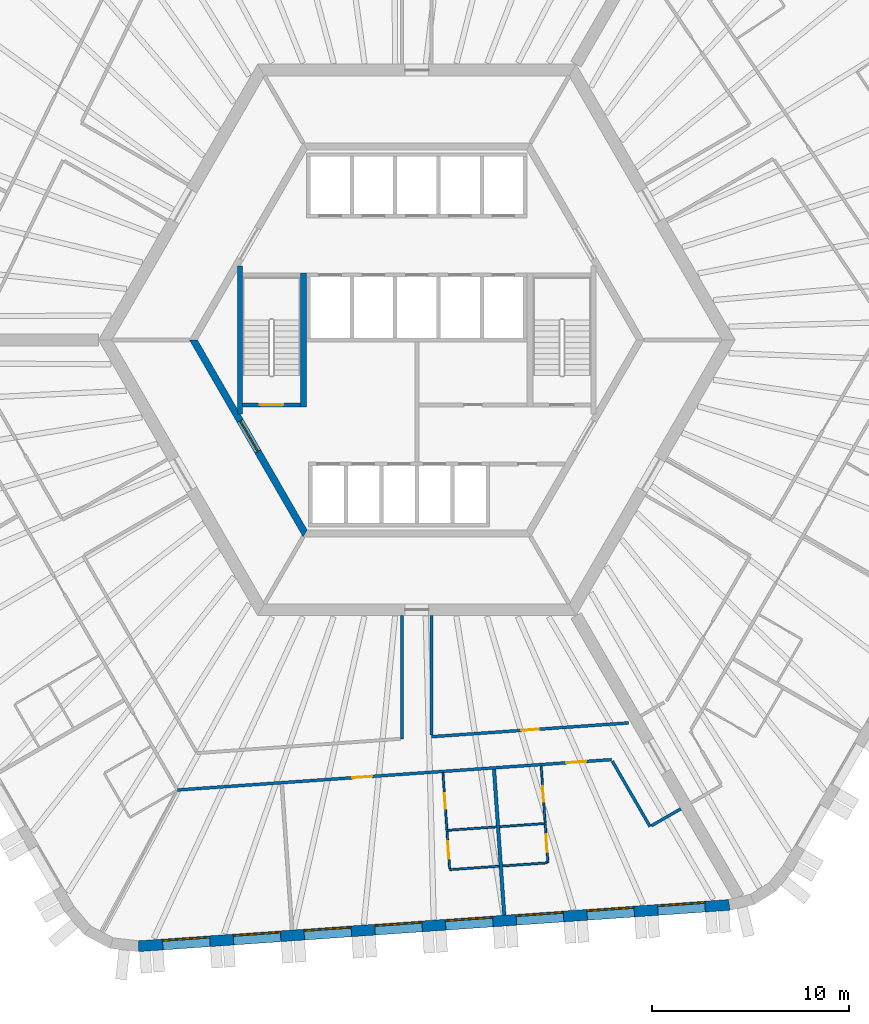
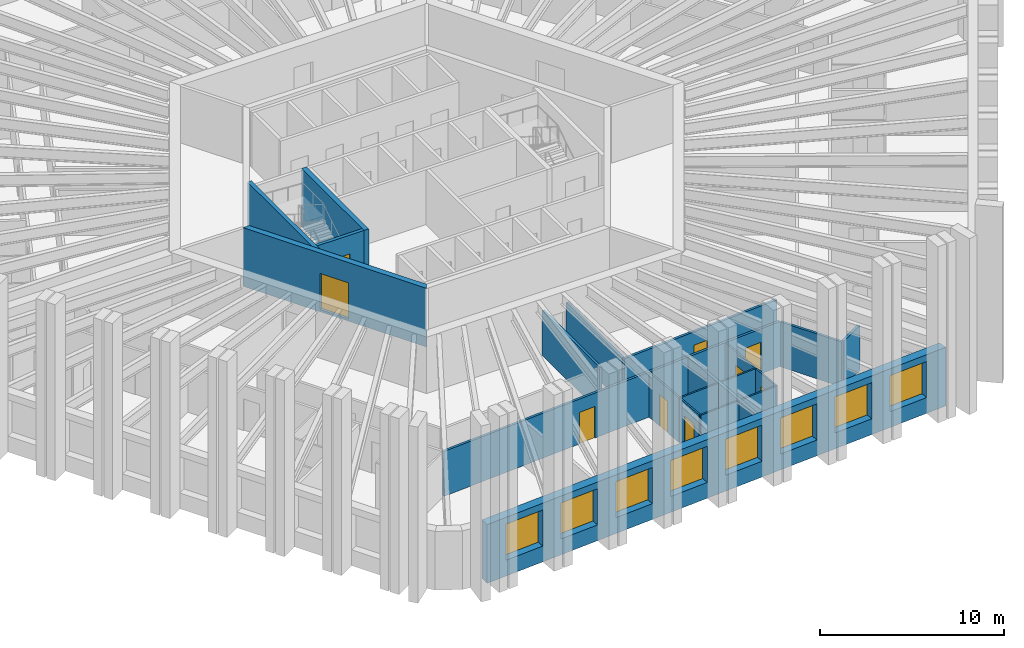
# One storey, part 4 of 12: 20 walls, 9 doors, 8 windows, 17 openings.
"""IFC4 building model written with IfcOpenShell, lengths in metres."""

from ifc_helpers import new_model, si_unit, direction, frame, frame_2d, origin, place, context, subcontext, project, spatial, polyline, rectangle, outline, extrude, material, layer, layer_set, type_object, element, fill, save


model = new_model("IFC4")

# Units and contexts
model_context = context("Model", 3, precision=1e-05, world=origin(), true_north=direction((0.0, 1.0)))
body_context = subcontext(model_context, "Body", "Model", "MODEL_VIEW")
ifc_project = project(units=[si_unit("LENGTHUNIT", "METRE"), si_unit("AREAUNIT", "SQUARE_METRE"), si_unit("VOLUMEUNIT", "CUBIC_METRE"), si_unit("PLANEANGLEUNIT", "RADIAN"), si_unit("MASSUNIT", "GRAM", prefix="KILO")], contexts=[model_context])

# Site, building, storey
site_placement = place(None, origin())
site = spatial("IfcSite", under=ifc_project, at=site_placement, CompositionType="ELEMENT")
building_placement = place(site_placement, origin())
building = spatial("IfcBuilding", under=site, at=building_placement, Name="Tarnside Tower", CompositionType="ELEMENT")
storey_placement = place(building_placement, frame((0.0, 0.0, 37.5)))
storey = spatial("IfcBuildingStorey", under=building, at=storey_placement, Name="L06", CompositionType="ELEMENT", Elevation=37.5)

# Wall, opening, door
ifc_material_1 = material(Name="Gypsum board partition on steel studs", Category="steel")
ifc_layer_1 = layer(ifc_material_1, 0.10009765625)
ifc_layer_set_1 = layer_set([ifc_layer_1], Name="Bathroom wall 100")
wall_type_1 = type_object("IfcWallType", Name="Bathroom wall 100", PredefinedType="PARTITIONING", material=ifc_layer_set_1)
wall_1_placement = place(storey_placement, frame((1.52978515625, -24.904052734375, 0.0), z_axis=(0.0, 0.0, 1.0), x_axis=(-0.069775971057, 0.997562686683, 0.0)))
wall_1 = element("IfcWall", 1, at=wall_1_placement, inside=storey, type_object=wall_type_1, Name="Bathroom wall 01116", PredefinedType="PARTITIONING", context=body_context, shape_type="SweptSolid", body=[
    extrude(rectangle(XDim=2.925048828125, YDim=0.10009765625, at=frame_2d((1.46240234375, 0.0))), origin(), (0.0, 0.0, 1.0), 2.98779296875),
])
opening_1_placement = place(wall_1_placement, frame((1.10009765625, 0.0, 0.0)))
opening_1 = element("IfcOpeningElement", 2, at=opening_1_placement, cuts=wall_1, Name="Opening D-B1", PredefinedType="OPENING", context=body_context, shape_type="SweptSolid", body=[
    extrude(rectangle(XDim=0.800048828125, YDim=2.10009765625, at=frame_2d((0.39990234375, 1.050048828125))), frame((0.0, 0.06005859375, 0.0), z_axis=(0.0, -1.0, 0.0), x_axis=(1.0, 0.0, 0.0)), (0.0, 0.0, 1.0), 0.1201171875),
])
ifc_material_2 = material(Name="Timber door leaf", Category="wood")
door_type_1 = type_object("IfcDoorType", Name="Bathroom door 800", OperationType="NOTDEFINED", PredefinedType="DOOR", material=ifc_material_2)
door_1_placement = place(opening_1_placement, origin())
door_1 = element("IfcDoor", 3, at=door_1_placement, inside=storey, type_object=door_type_1, Name="Bathroom door 01022", OperationType="SINGLE_SWING_LEFT", OverallHeight=2.10009765625, OverallWidth=0.800048828125, PredefinedType="DOOR", context=body_context, shape_type="SweptSolid", body=[
    extrude(rectangle(XDim=0.800048828125, YDim=2.10009765625, at=frame_2d((0.39990234375, 1.050048828125))), frame((0.0, 0.02490234375, 0.0), z_axis=(0.0, -1.0, 0.0), x_axis=(1.0, 0.0, 0.0)), (0.0, 0.0, 1.0), 0.050048828125),
])
fill(opening_1, door_1)

# Wall
wall_2_placement = place(storey_placement, frame((1.57958984375, -24.900390625, 0.0), z_axis=(0.0, 0.0, 1.0), x_axis=(0.997563389425, 0.069765923475, 0.0)))
element("IfcWall", 4, at=wall_2_placement, inside=storey, type_object=wall_type_1, Name="Bathroom wall 01120", PredefinedType="PARTITIONING", context=body_context, shape_type="SweptSolid", body=[
    extrude(rectangle(XDim=2.460205078125, YDim=0.10009765625, at=frame_2d((1.22998046875, 0.0))), origin(), (0.0, 0.0, 1.0), 2.98779296875),
])

# Wall, opening, door
wall_3_placement = place(storey_placement, frame((6.313720703125, -21.63720703125, 0.0), z_axis=(0.0, 0.0, 1.0), x_axis=(0.069692912611, -0.997568492852, 0.0)))
wall_3 = element("IfcWall", 5, at=wall_3_placement, inside=storey, type_object=wall_type_1, Name="Bathroom wall 01123", PredefinedType="PARTITIONING", context=body_context, shape_type="SweptSolid", body=[
    extrude(rectangle(XDim=2.925048828125, YDim=0.10009765625, at=frame_2d((1.46240234375, 0.0))), origin(), (0.0, 0.0, 1.0), 2.98779296875),
])
opening_2_placement = place(wall_3_placement, frame((1.02490234375, 0.0, 0.0)))
opening_2 = element("IfcOpeningElement", 6, at=opening_2_placement, cuts=wall_3, Name="Opening D-B1", PredefinedType="OPENING", context=body_context, shape_type="SweptSolid", body=[
    extrude(rectangle(XDim=0.800048828125, YDim=2.10009765625, at=frame_2d((0.39990234375, 1.050048828125))), frame((0.0, 0.06005859375, 0.0), z_axis=(0.0, -1.0, 0.0), x_axis=(1.0, 0.0, 0.0)), (0.0, 0.0, 1.0), 0.1201171875),
])
door_2_placement = place(opening_2_placement, origin())
door_2 = element("IfcDoor", 7, at=door_2_placement, inside=storey, type_object=door_type_1, Name="Bathroom door 01025", OperationType="SINGLE_SWING_RIGHT", OverallHeight=2.10009765625, OverallWidth=0.800048828125, PredefinedType="DOOR", context=body_context, shape_type="SweptSolid", body=[
    extrude(rectangle(XDim=0.800048828125, YDim=2.10009765625, at=frame_2d((0.39990234375, 1.050048828125))), frame((0.0, 0.02490234375, 0.0), z_axis=(0.0, -1.0, 0.0), x_axis=(1.0, 0.0, 0.0)), (0.0, 0.0, 1.0), 0.050048828125),
])
fill(opening_2, door_2)

# Wall
wall_4_placement = place(storey_placement, frame((4.21337890625, -24.71630859375, 0.0), z_axis=(0.0, 0.0, 1.0), x_axis=(0.997561825928, 0.069788275888, 0.0)))
element("IfcWall", 8, at=wall_4_placement, inside=storey, type_object=wall_type_1, Name="Bathroom wall 01126", PredefinedType="PARTITIONING", context=body_context, shape_type="SweptSolid", body=[
    extrude(rectangle(XDim=2.260009765625, YDim=0.10009765625, at=frame_2d((1.1298828125, 0.0))), origin(), (0.0, 0.0, 1.0), 2.98779296875),
])

# Wall, opening, door
ifc_material_3 = material(Name="Concrete C50/60", Category="concrete")
ifc_layer_2 = layer(ifc_material_3, 0.35009765625)
ifc_layer_set_2 = layer_set([ifc_layer_2], Name="Core block wall 350 C50/60")
wall_type_2 = type_object("IfcWallType", Name="Core block wall 350 C50/60", PredefinedType="SHEAR", material=ifc_layer_set_2)
wall_5_placement = place(storey_placement, frame((-11.344970703125, 0.0, -0.14990234375), z_axis=(0.0, 0.0, 1.0), x_axis=(0.499995046907, -0.866028263435, 0.0)))
wall_5 = element("IfcWall", 9, at=wall_5_placement, inside=storey, type_object=wall_type_2, Name="L06 core block wall face 3", PredefinedType="SHEAR", context=body_context, shape_type="SweptSolid", body=[
    extrude(outline(polyline([(-0.10107421875, -0.175048828125), (11.44580078125, -0.175048828125), (11.24365234375, 0.175048828125), (0.10107421875, 0.175048828125), (-0.10107421875, -0.175048828125)])), origin(), (0.0, 0.0, 1.0), 3.89990234375),
])
opening_3_placement = place(wall_5_placement, frame((4.74365234375, 0.0, 0.14990234375)))
opening_3 = element("IfcOpeningElement", 10, at=opening_3_placement, cuts=wall_5, Name="Opening CD-FFL", PredefinedType="OPENING", context=body_context, shape_type="SweptSolid", body=[
    extrude(rectangle(XDim=1.800048828125, YDim=2.39990234375, at=frame_2d((0.89990234375, 1.199951171875))), frame((0.0, 0.18505859375, 0.0), z_axis=(0.0, -1.0, 0.0), x_axis=(1.0, 0.0, 0.0)), (0.0, 0.0, 1.0), 0.3701171875),
])
ifc_material_4 = material(Name="Steel fire door", Category="steel")
door_type_2 = type_object("IfcDoorType", Name="Firefighting lobby double door FD60S 1800x2400", OperationType="NOTDEFINED", PredefinedType="DOOR", material=ifc_material_4)
door_3_placement = place(opening_3_placement, origin())
door_3 = element("IfcDoor", 11, at=door_3_placement, inside=storey, type_object=door_type_2, Name="L06 lobby block door P3", OperationType="DOUBLE_DOOR_SINGLE_SWING", OverallHeight=2.39990234375, OverallWidth=1.800048828125, PredefinedType="DOOR", context=body_context, shape_type="SweptSolid", body=[
    extrude(rectangle(XDim=1.800048828125, YDim=2.39990234375, at=frame_2d((0.89990234375, 1.199951171875))), frame((0.0, 0.02490234375, 0.0), z_axis=(0.0, -1.0, 0.0), x_axis=(1.0, 0.0, 0.0)), (0.0, 0.0, 1.0), 0.050048828125),
])
fill(opening_3, door_3)

# Wall, openings, doors
ifc_layer_3 = layer(ifc_material_1, 0.14990234375)
ifc_layer_set_3 = layer_set([ifc_layer_3], Name="Corridor wall 150 EI 60")
wall_type_3 = type_object("IfcWallType", Name="Corridor wall 150 EI 60", PredefinedType="PARTITIONING", material=ifc_layer_set_3)
wall_6_placement = place(storey_placement, frame((-12.1513671875, -22.853271484375, 0.0), z_axis=(0.0, 0.0, 1.0), x_axis=(0.99756425444, 0.069753553767, 0.0)))
wall_6 = element("IfcWall", 12, at=wall_6_placement, inside=storey, type_object=wall_type_3, Name="Corridor wall 01033", PredefinedType="PARTITIONING", context=body_context, shape_type="SweptSolid", body=[
    extrude(rectangle(XDim=22.085205078125, YDim=0.14990234375, at=frame_2d((11.04248046875, 0.0))), origin(), (0.0, 0.0, 1.0), 2.98779296875),
])
opening_4_placement = place(wall_6_placement, frame((8.90478515625, 0.0, 0.0)))
opening_4 = element("IfcOpeningElement", 13, at=opening_4_placement, cuts=wall_6, Name="Opening D-E1", PredefinedType="OPENING", context=body_context, shape_type="SweptSolid", body=[
    extrude(rectangle(XDim=1.0, YDim=2.10009765625, at=frame_2d((0.5, 1.050048828125))), frame((0.0, 0.0849609375, 0.0), z_axis=(0.0, -1.0, 0.0), x_axis=(1.0, 0.0, 0.0)), (0.0, 0.0, 1.0), 0.169921875),
])
opening_5_placement = place(wall_6_placement, frame((19.794921875, 0.0, 0.0)))
opening_5 = element("IfcOpeningElement", 14, at=opening_5_placement, cuts=wall_6, Name="Opening D-E1", PredefinedType="OPENING", context=body_context, shape_type="SweptSolid", body=[
    extrude(rectangle(XDim=1.0, YDim=2.10009765625, at=frame_2d((0.5, 1.050048828125))), frame((0.0, 0.0849609375, 0.0), z_axis=(0.0, -1.0, 0.0), x_axis=(1.0, 0.0, 0.0)), (0.0, 0.0, 1.0), 0.169921875),
])
door_type_3 = type_object("IfcDoorType", Name="Unit entrance door 1000 FD30S", OperationType="NOTDEFINED", PredefinedType="DOOR", material=ifc_material_2)
door_4_placement = place(opening_4_placement, origin())
door_4 = element("IfcDoor", 15, at=door_4_placement, inside=storey, type_object=door_type_3, Name="Unit door 01021", OperationType="SINGLE_SWING_RIGHT", OverallHeight=2.10009765625, OverallWidth=1.0, PredefinedType="DOOR", context=body_context, shape_type="SweptSolid", body=[
    extrude(rectangle(XDim=1.0, YDim=2.10009765625, at=frame_2d((0.5, 1.050048828125))), frame((0.0, 0.02490234375, 0.0), z_axis=(0.0, -1.0, 0.0), x_axis=(1.0, 0.0, 0.0)), (0.0, 0.0, 1.0), 0.050048828125),
])
fill(opening_4, door_4)
door_5_placement = place(opening_5_placement, origin())
door_5 = element("IfcDoor", 16, at=door_5_placement, inside=storey, type_object=door_type_3, Name="Unit door 01024", OperationType="SINGLE_SWING_LEFT", OverallHeight=2.10009765625, OverallWidth=1.0, PredefinedType="DOOR", context=body_context, shape_type="SweptSolid", body=[
    extrude(rectangle(XDim=1.0, YDim=2.10009765625, at=frame_2d((0.5, 1.050048828125))), frame((0.0, 0.02490234375, 0.0), z_axis=(0.0, -1.0, 0.0), x_axis=(1.0, 0.0, 0.0)), (0.0, 0.0, 1.0), 0.050048828125),
])
fill(opening_5, door_5)

# Walls
wall_7_placement = place(storey_placement, frame((9.921630859375, -21.385009765625, 0.0), z_axis=(0.0, 0.0, 1.0), x_axis=(0.500023335103, -0.866011930837, 0.0)))
element("IfcWall", 17, at=wall_7_placement, inside=storey, type_object=wall_type_3, Name="Corridor wall 01037", PredefinedType="PARTITIONING", context=body_context, shape_type="SweptSolid", body=[
    extrude(rectangle(XDim=3.839599609375, YDim=0.14990234375, at=frame_2d((1.919921875, 0.0))), origin(), (0.0, 0.0, 1.0), 2.98779296875),
])
wall_8_placement = place(storey_placement, frame((11.906494140625, -24.672607421875, 0.0), z_axis=(0.0, 0.0, 1.0), x_axis=(0.866013532718, 0.500020560727, 0.0)))
element("IfcWall", 18, at=wall_8_placement, inside=storey, type_object=wall_type_3, Name="Corridor wall 01038", PredefinedType="PARTITIONING", context=body_context, shape_type="SweptSolid", body=[
    extrude(rectangle(XDim=1.72509765625, YDim=0.14990234375, at=frame_2d((0.862548828125, 0.0))), origin(), (0.0, 0.0, 1.0), 2.98779296875),
])
wall_9_placement = place(storey_placement, frame((-0.75, -14.0, 0.0), z_axis=(0.0, 0.0, 1.0), x_axis=(0.0, -1.0, 0.0)))
element("IfcWall", 19, at=wall_9_placement, inside=storey, type_object=wall_type_3, Name="Corridor wall 01043", PredefinedType="PARTITIONING", context=body_context, shape_type="SweptSolid", body=[
    extrude(rectangle(XDim=6.251708984375, YDim=0.14990234375, at=frame_2d((3.1259765625, 0.0))), origin(), (0.0, 0.0, 1.0), 2.98779296875),
])

# Wall, opening, door
wall_10_placement = place(storey_placement, frame((10.75439453125, -19.447265625, 0.0), z_axis=(0.0, 0.0, 1.0), x_axis=(-0.997564830966, -0.069745308232, 0.0)))
wall_10 = element("IfcWall", 20, at=wall_10_placement, inside=storey, type_object=wall_type_3, Name="Corridor wall 01047", PredefinedType="PARTITIONING", context=body_context, shape_type="SweptSolid", body=[
    extrude(rectangle(XDim=10.02880859375, YDim=0.14990234375, at=frame_2d((5.014404296875, 0.0))), origin(), (0.0, 0.0, 1.0), 2.98779296875),
])
opening_6_placement = place(wall_10_placement, frame((4.564453125, 0.0, 0.0)))
opening_6 = element("IfcOpeningElement", 21, at=opening_6_placement, cuts=wall_10, Name="Opening D-S1", PredefinedType="OPENING", context=body_context, shape_type="SweptSolid", body=[
    extrude(rectangle(XDim=0.89990234375, YDim=2.10009765625, at=frame_2d((0.449951171875, 1.050048828125))), frame((0.0, 0.0849609375, 0.0), z_axis=(0.0, -1.0, 0.0), x_axis=(1.0, 0.0, 0.0)), (0.0, 0.0, 1.0), 0.169921875),
])
door_type_4 = type_object("IfcDoorType", Name="Service room door 900 FD30S", OperationType="NOTDEFINED", PredefinedType="DOOR", material=ifc_material_2)
door_6_placement = place(opening_6_placement, origin())
door_6 = element("IfcDoor", 22, at=door_6_placement, inside=storey, type_object=door_type_4, Name="Service door 01047", OperationType="SINGLE_SWING_LEFT", OverallHeight=2.10009765625, OverallWidth=0.89990234375, PredefinedType="DOOR", context=body_context, shape_type="SweptSolid", body=[
    extrude(rectangle(XDim=0.89990234375, YDim=2.10009765625, at=frame_2d((0.449951171875, 1.050048828125))), frame((0.0, 0.02490234375, 0.0), z_axis=(0.0, -1.0, 0.0), x_axis=(1.0, 0.0, 0.0)), (0.0, 0.0, 1.0), 0.050048828125),
])
fill(opening_6, door_6)

# Walls
wall_11_placement = place(storey_placement, frame((0.75, -20.071533203125, 0.0), z_axis=(0.0, 0.0, 1.0), x_axis=(0.0, 1.0, 0.0)))
element("IfcWall", 23, at=wall_11_placement, inside=storey, type_object=wall_type_3, Name="Corridor wall 01048", PredefinedType="PARTITIONING", context=body_context, shape_type="SweptSolid", body=[
    extrude(rectangle(XDim=6.071533203125, YDim=0.14990234375, at=frame_2d((3.03564453125, 0.0))), origin(), (0.0, 0.0, 1.0), 2.98779296875),
])
ifc_layer_4 = layer(ifc_material_1, 0.179931640625)
ifc_layer_set_4 = layer_set([ifc_layer_4], Name="Demising wall 180 EI 60")
wall_type_4 = type_object("IfcWallType", Name="Demising wall 180 EI 60", PredefinedType="PARTITIONING", material=ifc_layer_set_4)
wall_12_placement = place(storey_placement, frame((4.4375, -29.211669921875, 0.0), z_axis=(0.0, 0.0, 1.0), x_axis=(-0.06977252161, 0.997562927954, 0.0)))
element("IfcWall", 24, at=wall_12_placement, inside=storey, type_object=wall_type_4, Name="Demising wall 01119", PredefinedType="PARTITIONING", context=body_context, shape_type="SweptSolid", body=[
    extrude(rectangle(XDim=7.425048828125, YDim=0.179931640625, at=frame_2d((3.71240234375, 0.0))), origin(), (0.0, 0.0, 1.0), 2.98779296875),
])

# Wall, opening, door
ifc_material_5 = material(Name="Concrete C40/50", Category="concrete")
ifc_layer_5 = layer(ifc_material_5, 0.199951171875)
ifc_layer_set_5 = layer_set([ifc_layer_5], Name="Lift shaft wall 200 C40/50")
wall_type_5 = type_object("IfcWallType", Name="Lift shaft wall 200 C40/50", PredefinedType="SHEAR", material=ifc_layer_set_5)
wall_13_placement = place(storey_placement, frame((-8.85009765625, -3.300048828125, -0.25), z_axis=(0.0, 0.0, 1.0), x_axis=(1.0, 0.0, 0.0)))
wall_13 = element("IfcWall", 25, at=wall_13_placement, inside=storey, type_object=wall_type_5, Name="L06 stair 2 enclosure cap wall s", PredefinedType="SHEAR", context=body_context, shape_type="SweptSolid", body=[
    extrude(rectangle(XDim=2.9501953125, YDim=0.199951171875, at=frame_2d((1.47509765625, 0.0))), origin(), (0.0, 0.0, 1.0), 3.89990234375),
])
opening_7_placement = place(wall_13_placement, frame((0.875, 0.0, 0.25)))
opening_7 = element("IfcOpeningElement", 26, at=opening_7_placement, cuts=wall_13, Name="Opening CD-STR", PredefinedType="OPENING", context=body_context, shape_type="SweptSolid", body=[
    extrude(rectangle(XDim=1.199951171875, YDim=2.39990234375, at=frame_2d((0.60009765625, 1.199951171875))), frame((0.0, 0.10986328125, 0.0), z_axis=(0.0, -1.0, 0.0), x_axis=(1.0, 0.0, 0.0)), (0.0, 0.0, 1.0), 0.219970703125),
])
door_type_5 = type_object("IfcDoorType", Name="Stair door FD60S 1200x2400", OperationType="NOTDEFINED", PredefinedType="DOOR", material=ifc_material_4)
door_7_placement = place(opening_7_placement, origin())
door_7 = element("IfcDoor", 27, at=door_7_placement, inside=storey, type_object=door_type_5, Name="L06 stair 2 door", OperationType="SINGLE_SWING_LEFT", OverallHeight=2.39990234375, OverallWidth=1.199951171875, PredefinedType="DOOR", context=body_context, shape_type="SweptSolid", body=[
    extrude(rectangle(XDim=1.199951171875, YDim=2.39990234375, at=frame_2d((0.60009765625, 1.199951171875))), frame((0.0, 0.02490234375, 0.0), z_axis=(0.0, -1.0, 0.0), x_axis=(1.0, 0.0, 0.0)), (0.0, 0.0, 1.0), 0.050048828125),
])
fill(opening_7, door_7)

# Wall
ifc_layer_6 = layer(ifc_material_1, 0.10009765625)
ifc_layer_set_6 = layer_set([ifc_layer_6], Name="Partition 100")
wall_type_6 = type_object("IfcWallType", Name="Partition 100", PredefinedType="PARTITIONING", material=ifc_layer_set_6)
wall_14_placement = place(storey_placement, frame((4.17333984375, -26.723876953125, 0.0), z_axis=(0.0, 0.0, 1.0), x_axis=(-0.997558425079, -0.069836871022, 0.0)))
element("IfcWall", 28, at=wall_14_placement, inside=storey, type_object=wall_type_6, Name="Partition wall 01117", PredefinedType="PARTITIONING", context=body_context, shape_type="SweptSolid", body=[
    extrude(rectangle(XDim=2.510009765625, YDim=0.10009765625, at=frame_2d((1.2548828125, 0.0))), origin(), (0.0, 0.0, 1.0), 2.98779296875),
])

# Wall, opening, door
wall_15_placement = place(storey_placement, frame((1.665771484375, -26.84912109375, 0.0), z_axis=(0.0, 0.0, 1.0), x_axis=(-0.069776698601, 0.997562635794, 0.0)))
wall_15 = element("IfcWall", 29, at=wall_15_placement, inside=storey, type_object=wall_type_6, Name="Partition wall 01118", PredefinedType="PARTITIONING", context=body_context, shape_type="SweptSolid", body=[
    extrude(rectangle(XDim=1.89990234375, YDim=0.10009765625, at=frame_2d((0.949951171875, 0.0))), origin(), (0.0, 0.0, 1.0), 2.98779296875),
])
opening_8_placement = place(wall_15_placement, frame((0.5, 0.0, 0.0)))
opening_8 = element("IfcOpeningElement", 30, at=opening_8_placement, cuts=wall_15, Name="Opening D-I1", PredefinedType="OPENING", context=body_context, shape_type="SweptSolid", body=[
    extrude(rectangle(XDim=0.89990234375, YDim=2.10009765625, at=frame_2d((0.449951171875, 1.050048828125))), frame((0.0, 0.06005859375, 0.0), z_axis=(0.0, -1.0, 0.0), x_axis=(1.0, 0.0, 0.0)), (0.0, 0.0, 1.0), 0.1201171875),
])
door_type_6 = type_object("IfcDoorType", Name="Internal door 900", OperationType="NOTDEFINED", PredefinedType="DOOR", material=ifc_material_2)
door_8_placement = place(opening_8_placement, origin())
door_8 = element("IfcDoor", 31, at=door_8_placement, inside=storey, type_object=door_type_6, Name="Internal door 01023", OperationType="SINGLE_SWING_RIGHT", OverallHeight=2.10009765625, OverallWidth=0.89990234375, PredefinedType="DOOR", context=body_context, shape_type="SweptSolid", body=[
    extrude(rectangle(XDim=0.89990234375, YDim=2.10009765625, at=frame_2d((0.449951171875, 1.050048828125))), frame((0.0, 0.02490234375, 0.0), z_axis=(0.0, -1.0, 0.0), x_axis=(1.0, 0.0, 0.0)), (0.0, 0.0, 1.0), 0.050048828125),
])
fill(opening_8, door_8)

wall_16_placement = place(storey_placement, frame((6.521240234375, -24.60498046875, 0.0), z_axis=(0.0, 0.0, 1.0), x_axis=(0.069734442015, -0.997565590624, 0.0)))
wall_16 = element("IfcWall", 32, at=wall_16_placement, inside=storey, type_object=wall_type_6, Name="Partition wall 01124", PredefinedType="PARTITIONING", context=body_context, shape_type="SweptSolid", body=[
    extrude(rectangle(XDim=1.949951171875, YDim=0.10009765625, at=frame_2d((0.97509765625, 0.0))), origin(), (0.0, 0.0, 1.0), 2.98779296875),
])
opening_9_placement = place(wall_16_placement, frame((0.5, 0.0, 0.0)))
opening_9 = element("IfcOpeningElement", 33, at=opening_9_placement, cuts=wall_16, Name="Opening D-I1", PredefinedType="OPENING", context=body_context, shape_type="SweptSolid", body=[
    extrude(rectangle(XDim=0.89990234375, YDim=2.10009765625, at=frame_2d((0.449951171875, 1.050048828125))), frame((0.0, 0.06005859375, 0.0), z_axis=(0.0, -1.0, 0.0), x_axis=(1.0, 0.0, 0.0)), (0.0, 0.0, 1.0), 0.1201171875),
])
door_9_placement = place(opening_9_placement, origin())
door_9 = element("IfcDoor", 34, at=door_9_placement, inside=storey, type_object=door_type_6, Name="Internal door 01026", OperationType="SINGLE_SWING_RIGHT", OverallHeight=2.10009765625, OverallWidth=0.89990234375, PredefinedType="DOOR", context=body_context, shape_type="SweptSolid", body=[
    extrude(rectangle(XDim=0.89990234375, YDim=2.10009765625, at=frame_2d((0.449951171875, 1.050048828125))), frame((0.0, 0.02490234375, 0.0), z_axis=(0.0, -1.0, 0.0), x_axis=(1.0, 0.0, 0.0)), (0.0, 0.0, 1.0), 0.050048828125),
])
fill(opening_9, door_9)

# Walls
wall_17_placement = place(storey_placement, frame((6.607177734375, -26.5537109375, 0.0), z_axis=(0.0, 0.0, 1.0), x_axis=(-0.997561825928, -0.069788275888, 0.0)))
element("IfcWall", 35, at=wall_17_placement, inside=storey, type_object=wall_type_6, Name="Partition wall 01125", PredefinedType="PARTITIONING", context=body_context, shape_type="SweptSolid", body=[
    extrude(rectangle(XDim=2.260009765625, YDim=0.10009765625, at=frame_2d((1.1298828125, 0.0))), origin(), (0.0, 0.0, 1.0), 2.98779296875),
])
ifc_layer_7 = layer(ifc_material_5, 0.25)
ifc_layer_set_7 = layer_set([ifc_layer_7], Name="Stair enclosure wall 250 C40/50")
wall_type_7 = type_object("IfcWallType", Name="Stair enclosure wall 250 C40/50", PredefinedType="SHEAR", material=ifc_layer_set_7)
wall_18_placement = place(storey_placement, frame((-8.97509765625, -3.7548828125, -0.25), z_axis=(0.0, 0.0, 1.0), x_axis=(0.0, 1.0, 0.0)))
element("IfcWall", 36, at=wall_18_placement, inside=storey, type_object=wall_type_7, Name="L06 stair 2 enclosure wall outer", PredefinedType="SHEAR", context=body_context, shape_type="SweptSolid", body=[
    extrude(rectangle(XDim=7.509765625, YDim=0.25, at=frame_2d((3.7548828125, 0.0))), origin(), (0.0, 0.0, 1.0), 3.89990234375),
])
ifc_layer_8 = layer(ifc_material_5, 0.300048828125)
ifc_layer_set_8 = layer_set([ifc_layer_8], Name="Stair enclosure wall 300 C40/50")
wall_type_8 = type_object("IfcWallType", Name="Stair enclosure wall 300 C40/50", PredefinedType="SHEAR", material=ifc_layer_set_8)
wall_19_placement = place(storey_placement, frame((-5.75, -3.39990234375, -0.25), z_axis=(0.0, 0.0, 1.0), x_axis=(0.0, 1.0, 0.0)))
element("IfcWall", 37, at=wall_19_placement, inside=storey, type_object=wall_type_8, Name="L06 stair 2 enclosure wall inner", PredefinedType="SHEAR", context=body_context, shape_type="SweptSolid", body=[
    extrude(rectangle(XDim=6.7998046875, YDim=0.300048828125, at=frame_2d((3.39990234375, 0.0))), origin(), (0.0, 0.0, 1.0), 3.89990234375),
])

# Wall, openings, windows
ifc_material_6 = material(Name="Facing brick", Category="masonry")
ifc_layer_9 = layer(ifc_material_6, 0.10205078125)
ifc_material_7 = material(Name="Concrete C60/75 precast", Category="concrete")
ifc_layer_10 = layer(ifc_material_7, 0.347900390625)
ifc_material_8 = material(Name="Mineral wool insulation")
ifc_layer_11 = layer(ifc_material_8, 0.10009765625)
ifc_layer_set_9 = layer_set([ifc_layer_9, ifc_layer_10, ifc_layer_11], Name="Tube wall 550 brick faced")
wall_type_9 = type_object("IfcWallType", Name="Tube wall 550 brick faced", PredefinedType="SOLIDWALL", material=ifc_layer_set_9)
wall_20_placement = place(storey_placement, frame((-14.133544921875, -30.785888671875, -0.14990234375), z_axis=(0.0, 0.0, 1.0), x_axis=(0.997564037441, 0.069756657061, 0.0)))
wall_20 = element("IfcWall", 38, at=wall_20_placement, inside=storey, type_object=wall_type_9, Name="Tube wall L06 F4 flush 12", PredefinedType="SOLIDWALL", context=body_context, shape_type="SweptSolid", body=[
    extrude(outline(polyline([(-0.025634765625, -0.27490234375), (30.093505859375, -0.27490234375), (30.048583984375, 0.27490234375), (0.025634765625, 0.27490234375), (-0.025634765625, -0.27490234375)])), origin(), (0.0, 0.0, 1.0), 3.89990234375),
])
opening_10_placement = place(wall_20_placement, frame((1.235595703125, 0.0, 1.050048828125)))
opening_10 = element("IfcOpeningElement", 39, at=opening_10_placement, cuts=wall_20, Name="Opening WH", PredefinedType="OPENING", context=body_context, shape_type="SweptSolid", body=[
    extrude(rectangle(XDim=2.39990234375, YDim=2.39990234375, at=frame_2d((1.199951171875, 1.199951171875))), frame((0.0, 0.28515625, 0.0), z_axis=(0.0, -1.0, 0.0), x_axis=(1.0, 0.0, 0.0)), (0.0, 0.0, 1.0), 0.570068359375),
])
opening_11_placement = place(wall_20_placement, frame((4.83544921875, 0.0, 1.050048828125)))
opening_11 = element("IfcOpeningElement", 40, at=opening_11_placement, cuts=wall_20, Name="Opening WH", PredefinedType="OPENING", context=body_context, shape_type="SweptSolid", body=[
    extrude(rectangle(XDim=2.39990234375, YDim=2.39990234375, at=frame_2d((1.199951171875, 1.199951171875))), frame((0.0, 0.28515625, 0.0), z_axis=(0.0, -1.0, 0.0), x_axis=(1.0, 0.0, 0.0)), (0.0, 0.0, 1.0), 0.570068359375),
])
opening_12_placement = place(wall_20_placement, frame((8.435546875, 0.0, 1.050048828125)))
opening_12 = element("IfcOpeningElement", 41, at=opening_12_placement, cuts=wall_20, Name="Opening WH", PredefinedType="OPENING", context=body_context, shape_type="SweptSolid", body=[
    extrude(rectangle(XDim=2.39990234375, YDim=2.39990234375, at=frame_2d((1.199951171875, 1.199951171875))), frame((0.0, 0.28515625, 0.0), z_axis=(0.0, -1.0, 0.0), x_axis=(1.0, 0.0, 0.0)), (0.0, 0.0, 1.0), 0.570068359375),
])
opening_13_placement = place(wall_20_placement, frame((12.035400390625, 0.0, 1.050048828125)))
opening_13 = element("IfcOpeningElement", 42, at=opening_13_placement, cuts=wall_20, Name="Opening WH", PredefinedType="OPENING", context=body_context, shape_type="SweptSolid", body=[
    extrude(rectangle(XDim=2.39990234375, YDim=2.39990234375, at=frame_2d((1.199951171875, 1.199951171875))), frame((0.0, 0.28515625, 0.0), z_axis=(0.0, -1.0, 0.0), x_axis=(1.0, 0.0, 0.0)), (0.0, 0.0, 1.0), 0.570068359375),
])
opening_14_placement = place(wall_20_placement, frame((15.635498046875, 0.0, 1.050048828125)))
opening_14 = element("IfcOpeningElement", 43, at=opening_14_placement, cuts=wall_20, Name="Opening WH", PredefinedType="OPENING", context=body_context, shape_type="SweptSolid", body=[
    extrude(rectangle(XDim=2.39990234375, YDim=2.39990234375, at=frame_2d((1.199951171875, 1.199951171875))), frame((0.0, 0.28515625, 0.0), z_axis=(0.0, -1.0, 0.0), x_axis=(1.0, 0.0, 0.0)), (0.0, 0.0, 1.0), 0.570068359375),
])
opening_15_placement = place(wall_20_placement, frame((19.235595703125, 0.0, 1.050048828125)))
opening_15 = element("IfcOpeningElement", 44, at=opening_15_placement, cuts=wall_20, Name="Opening WH", PredefinedType="OPENING", context=body_context, shape_type="SweptSolid", body=[
    extrude(rectangle(XDim=2.39990234375, YDim=2.39990234375, at=frame_2d((1.199951171875, 1.199951171875))), frame((0.0, 0.28515625, 0.0), z_axis=(0.0, -1.0, 0.0), x_axis=(1.0, 0.0, 0.0)), (0.0, 0.0, 1.0), 0.570068359375),
])
opening_16_placement = place(wall_20_placement, frame((22.83544921875, 0.0, 1.050048828125)))
opening_16 = element("IfcOpeningElement", 45, at=opening_16_placement, cuts=wall_20, Name="Opening WH", PredefinedType="OPENING", context=body_context, shape_type="SweptSolid", body=[
    extrude(rectangle(XDim=2.39990234375, YDim=2.39990234375, at=frame_2d((1.199951171875, 1.199951171875))), frame((0.0, 0.28515625, 0.0), z_axis=(0.0, -1.0, 0.0), x_axis=(1.0, 0.0, 0.0)), (0.0, 0.0, 1.0), 0.570068359375),
])
opening_17_placement = place(wall_20_placement, frame((26.435546875, 0.0, 1.050048828125)))
opening_17 = element("IfcOpeningElement", 46, at=opening_17_placement, cuts=wall_20, Name="Opening WH", PredefinedType="OPENING", context=body_context, shape_type="SweptSolid", body=[
    extrude(rectangle(XDim=2.39990234375, YDim=2.39990234375, at=frame_2d((1.199951171875, 1.199951171875))), frame((0.0, 0.28515625, 0.0), z_axis=(0.0, -1.0, 0.0), x_axis=(1.0, 0.0, 0.0)), (0.0, 0.0, 1.0), 0.570068359375),
])
ifc_material_9 = material(Name="Aluminium-framed double glazing", Category="aluminium")
window_type = type_object("IfcWindowType", Name="Hotel window 2400 x 2400", PartitioningType="DOUBLE_PANEL_VERTICAL", PredefinedType="WINDOW", material=ifc_material_9)
window_1_placement = place(opening_10_placement, frame((0.0, 0.205078125, 0.0)))
window_1 = element("IfcWindow", 47, at=window_1_placement, inside=storey, type_object=window_type, Name="E.WN.L06.F4.00", OverallHeight=2.39990234375, OverallWidth=2.39990234375, PartitioningType="DOUBLE_PANEL_VERTICAL", PredefinedType="WINDOW", context=body_context, shape_type="SweptSolid", body=[
    extrude(rectangle(XDim=2.39990234375, YDim=2.39990234375, at=frame_2d((1.199951171875, 1.199951171875))), frame((0.0, 0.030029296875, 0.0), z_axis=(0.0, -1.0, 0.0), x_axis=(1.0, 0.0, 0.0)), (0.0, 0.0, 1.0), 0.06005859375),
])
fill(opening_10, window_1)
window_2_placement = place(opening_11_placement, frame((0.0, 0.205078125, 0.0)))
window_2 = element("IfcWindow", 48, at=window_2_placement, inside=storey, type_object=window_type, Name="E.WN.L06.F4.01", OverallHeight=2.39990234375, OverallWidth=2.39990234375, PartitioningType="DOUBLE_PANEL_VERTICAL", PredefinedType="WINDOW", context=body_context, shape_type="SweptSolid", body=[
    extrude(rectangle(XDim=2.39990234375, YDim=2.39990234375, at=frame_2d((1.199951171875, 1.199951171875))), frame((0.0, 0.030029296875, 0.0), z_axis=(0.0, -1.0, 0.0), x_axis=(1.0, 0.0, 0.0)), (0.0, 0.0, 1.0), 0.06005859375),
])
fill(opening_11, window_2)
window_3_placement = place(opening_12_placement, frame((0.0, 0.205078125, 0.0)))
window_3 = element("IfcWindow", 49, at=window_3_placement, inside=storey, type_object=window_type, Name="E.WN.L06.F4.02", OverallHeight=2.39990234375, OverallWidth=2.39990234375, PartitioningType="DOUBLE_PANEL_VERTICAL", PredefinedType="WINDOW", context=body_context, shape_type="SweptSolid", body=[
    extrude(rectangle(XDim=2.39990234375, YDim=2.39990234375, at=frame_2d((1.199951171875, 1.199951171875))), frame((0.0, 0.030029296875, 0.0), z_axis=(0.0, -1.0, 0.0), x_axis=(1.0, 0.0, 0.0)), (0.0, 0.0, 1.0), 0.06005859375),
])
fill(opening_12, window_3)
window_4_placement = place(opening_13_placement, frame((0.0, 0.205078125, 0.0)))
window_4 = element("IfcWindow", 50, at=window_4_placement, inside=storey, type_object=window_type, Name="E.WN.L06.F4.03", OverallHeight=2.39990234375, OverallWidth=2.39990234375, PartitioningType="DOUBLE_PANEL_VERTICAL", PredefinedType="WINDOW", context=body_context, shape_type="SweptSolid", body=[
    extrude(rectangle(XDim=2.39990234375, YDim=2.39990234375, at=frame_2d((1.199951171875, 1.199951171875))), frame((0.0, 0.030029296875, 0.0), z_axis=(0.0, -1.0, 0.0), x_axis=(1.0, 0.0, 0.0)), (0.0, 0.0, 1.0), 0.06005859375),
])
fill(opening_13, window_4)
window_5_placement = place(opening_14_placement, frame((0.0, 0.205078125, 0.0)))
window_5 = element("IfcWindow", 51, at=window_5_placement, inside=storey, type_object=window_type, Name="E.WN.L06.F4.04", OverallHeight=2.39990234375, OverallWidth=2.39990234375, PartitioningType="DOUBLE_PANEL_VERTICAL", PredefinedType="WINDOW", context=body_context, shape_type="SweptSolid", body=[
    extrude(rectangle(XDim=2.39990234375, YDim=2.39990234375, at=frame_2d((1.199951171875, 1.199951171875))), frame((0.0, 0.030029296875, 0.0), z_axis=(0.0, -1.0, 0.0), x_axis=(1.0, 0.0, 0.0)), (0.0, 0.0, 1.0), 0.06005859375),
])
fill(opening_14, window_5)
window_6_placement = place(opening_15_placement, frame((0.0, 0.205078125, 0.0)))
window_6 = element("IfcWindow", 52, at=window_6_placement, inside=storey, type_object=window_type, Name="E.WN.L06.F4.05", OverallHeight=2.39990234375, OverallWidth=2.39990234375, PartitioningType="DOUBLE_PANEL_VERTICAL", PredefinedType="WINDOW", context=body_context, shape_type="SweptSolid", body=[
    extrude(rectangle(XDim=2.39990234375, YDim=2.39990234375, at=frame_2d((1.199951171875, 1.199951171875))), frame((0.0, 0.030029296875, 0.0), z_axis=(0.0, -1.0, 0.0), x_axis=(1.0, 0.0, 0.0)), (0.0, 0.0, 1.0), 0.06005859375),
])
fill(opening_15, window_6)
window_7_placement = place(opening_16_placement, frame((0.0, 0.205078125, 0.0)))
window_7 = element("IfcWindow", 53, at=window_7_placement, inside=storey, type_object=window_type, Name="E.WN.L06.F4.06", OverallHeight=2.39990234375, OverallWidth=2.39990234375, PartitioningType="DOUBLE_PANEL_VERTICAL", PredefinedType="WINDOW", context=body_context, shape_type="SweptSolid", body=[
    extrude(rectangle(XDim=2.39990234375, YDim=2.39990234375, at=frame_2d((1.199951171875, 1.199951171875))), frame((0.0, 0.030029296875, 0.0), z_axis=(0.0, -1.0, 0.0), x_axis=(1.0, 0.0, 0.0)), (0.0, 0.0, 1.0), 0.06005859375),
])
fill(opening_16, window_7)
window_8_placement = place(opening_17_placement, frame((0.0, 0.205078125, 0.0)))
window_8 = element("IfcWindow", 54, at=window_8_placement, inside=storey, type_object=window_type, Name="E.WN.L06.F4.07", OverallHeight=2.39990234375, OverallWidth=2.39990234375, PartitioningType="DOUBLE_PANEL_VERTICAL", PredefinedType="WINDOW", context=body_context, shape_type="SweptSolid", body=[
    extrude(rectangle(XDim=2.39990234375, YDim=2.39990234375, at=frame_2d((1.199951171875, 1.199951171875))), frame((0.0, 0.030029296875, 0.0), z_axis=(0.0, -1.0, 0.0), x_axis=(1.0, 0.0, 0.0)), (0.0, 0.0, 1.0), 0.06005859375),
])
fill(opening_17, window_8)

save(model, "model.ifc")
